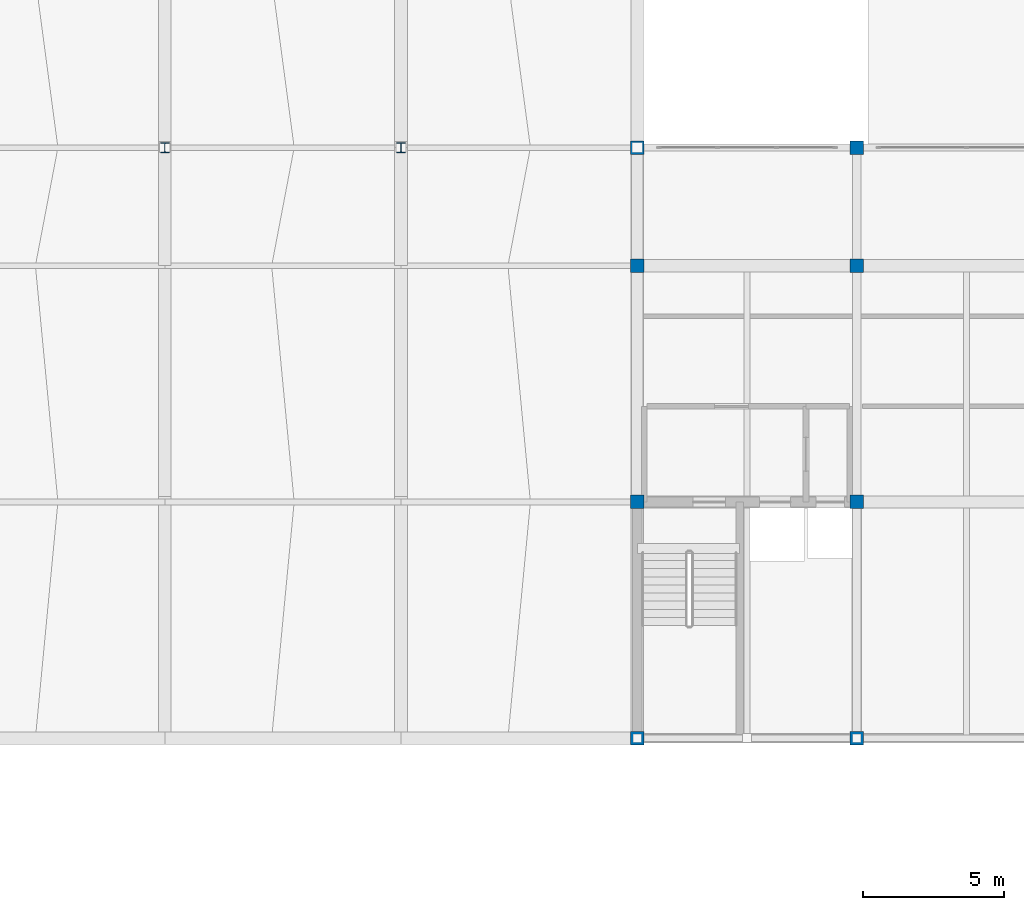
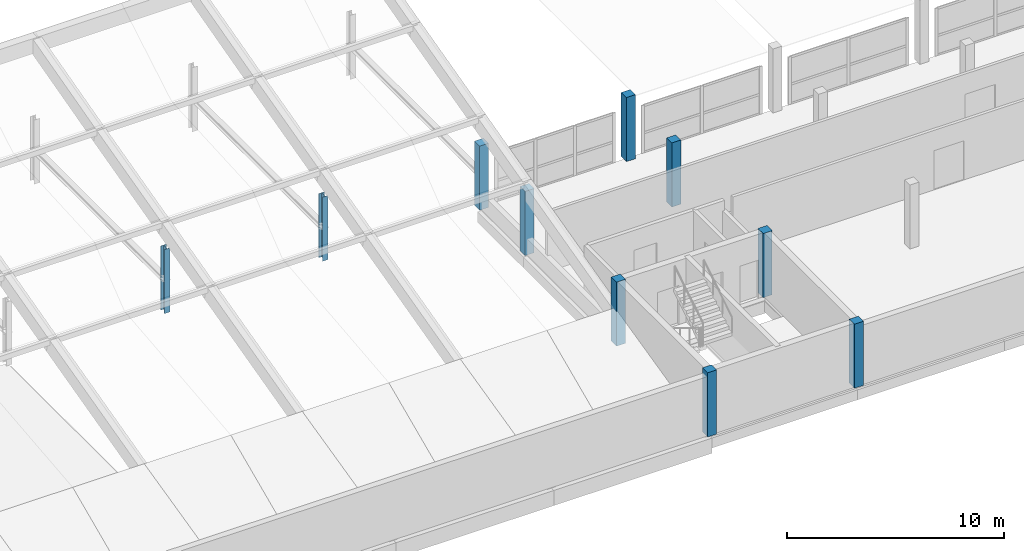
# One storey, part 4 of 51: 10 columns.
"""IFC4 building model written with IfcOpenShell, lengths in metres."""

from ifc_helpers import new_model, si_unit, direction, frame, origin, origin_2d, place, context, subcontext, project, spatial, rectangle, i_section, extrude, material, material_profile, profile_set, type_object, element, save


model = new_model("IFC4")

# Units and contexts
model_context = context("Model", 3, precision=1e-05, world=origin(), true_north=direction((0.0, 1.0)))
body_context = subcontext(model_context, "Body", "Model", "MODEL_VIEW")
ifc_project = project(units=[si_unit("LENGTHUNIT", "METRE"), si_unit("AREAUNIT", "SQUARE_METRE"), si_unit("VOLUMEUNIT", "CUBIC_METRE"), si_unit("PLANEANGLEUNIT", "RADIAN"), si_unit("MASSUNIT", "GRAM", prefix="KILO")], contexts=[model_context])

# Site, building, storey
site_placement = place(None, origin())
site = spatial("IfcSite", under=ifc_project, at=site_placement, CompositionType="ELEMENT")
building_placement = place(site_placement, origin())
building = spatial("IfcBuilding", under=site, at=building_placement, Name="Vharandega Faculty of Natural Sciences", CompositionType="ELEMENT")
storey_placement = place(building_placement, frame((0.0, 0.0, 18.0)))
storey = spatial("IfcBuildingStorey", under=building, at=storey_placement, Name="L04", CompositionType="ELEMENT", Elevation=18.0)

# Columns
ifc_material_1 = material(Name="Glulam GL32h", Category="wood")
ifc_material_profile_1 = material_profile(ifc_material_1, rectangle(XDim=0.47998046875, YDim=0.47998046875, at=origin_2d()), Name="GL32h 480x480")
ifc_profile_set_1 = profile_set([ifc_material_profile_1], Name="Glulam GL32h")
column_type_1 = type_object("IfcColumnType", Name="Glulam Column 480x480", PredefinedType="COLUMN", material=ifc_profile_set_1)
for number, where, z_axis, x_axis, name in (
    (1, (114.800048828125, 64.0, 0.0), (0.0, 0.0, 1.0), (1.0, 0.0, 0.0), "Column 15/J L04"),
    (2, (114.800048828125, 72.39990234375, 0.0), (0.0, 0.0, 1.0), (1.0, 0.0, 0.0), "Column 15/K L04"),
    (3, (114.800048828125, 80.800048828125, 0.0), (0.0, 0.0, 1.0), (1.0, 0.0, 0.0), "Column 15/L L04"),
    (4, (114.800048828125, 85.0, 0.0), (0.0, 0.0, 1.0), (1.0, 0.0, 0.0), "Column 15/M L04"),
    (5, (122.60009765625, 64.0, 0.0), (0.0, 0.0, 1.0), (1.0, 0.0, 0.0), "Column 16/J L04"),
    (6, (122.60009765625, 72.39990234375, 0.0), (0.0, 0.0, 1.0), (1.0, 0.0, 0.0), "Column 16/K L04"),
    (7, (122.60009765625, 80.800048828125, 0.0), (0.0, 0.0, 1.0), (1.0, 0.0, 0.0), "Column 16/L L04"),
    (8, (122.60009765625, 85.0, 0.0), (0.0, 0.0, 1.0), (1.0, 0.0, 0.0), "Column 16/M L04"),
):
    element("IfcColumn", number, at=place(storey_placement, frame(where, z_axis=z_axis, x_axis=x_axis)), inside=storey, type_object=column_type_1, Name=name, PredefinedType="COLUMN", context=body_context, shape_type="SweptSolid", body=[
        extrude(rectangle(XDim=0.47998046875, YDim=0.47998046875, at=origin_2d()), origin(), (0.0, 0.0, 1.0), 3.60009765625),
    ])
ifc_material_2 = material(Name="Steel S355", Category="steel")
ifc_material_profile_2 = material_profile(ifc_material_2, i_section(OverallWidth=0.300048828125, OverallDepth=0.360107421875, WebThickness=0.012451171875, FlangeThickness=0.0224609375, FilletRadius=0.027099609375, at=origin_2d()), Name="HEB 360")
ifc_profile_set_2 = profile_set([ifc_material_profile_2], Name="Steel S355")
column_type_2 = type_object("IfcColumnType", Name="Steel Column HEB 360", PredefinedType="COLUMN", material=ifc_profile_set_2)
for number, where, z_axis, x_axis, name in (
    (9, (98.0, 85.0, 0.0), (0.0, 0.0, 1.0), (1.0, 0.0, 0.0), "Column 13/M L04"),
    (10, (106.39990234375, 85.0, 0.0), (0.0, 0.0, 1.0), (1.0, 0.0, 0.0), "Column 14/M L04"),
):
    element("IfcColumn", number, at=place(storey_placement, frame(where, z_axis=z_axis, x_axis=x_axis)), inside=storey, type_object=column_type_2, Name=name, PredefinedType="COLUMN", context=body_context, shape_type="SweptSolid", body=[
        extrude(i_section(OverallWidth=0.300048828125, OverallDepth=0.360107421875, WebThickness=0.012451171875, FlangeThickness=0.0224609375, FilletRadius=0.027099609375, at=origin_2d()), origin(), (0.0, 0.0, 1.0), 3.60009765625),
    ])

save(model, "model.ifc")
